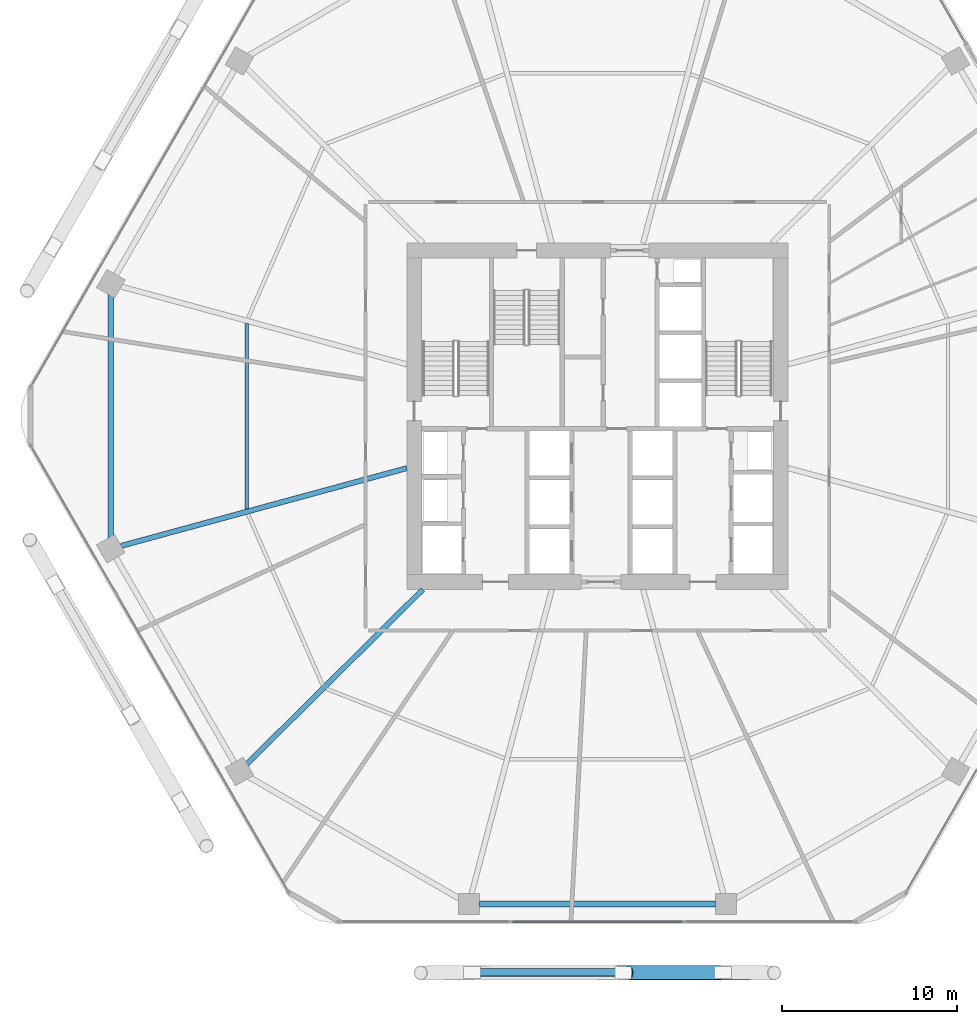
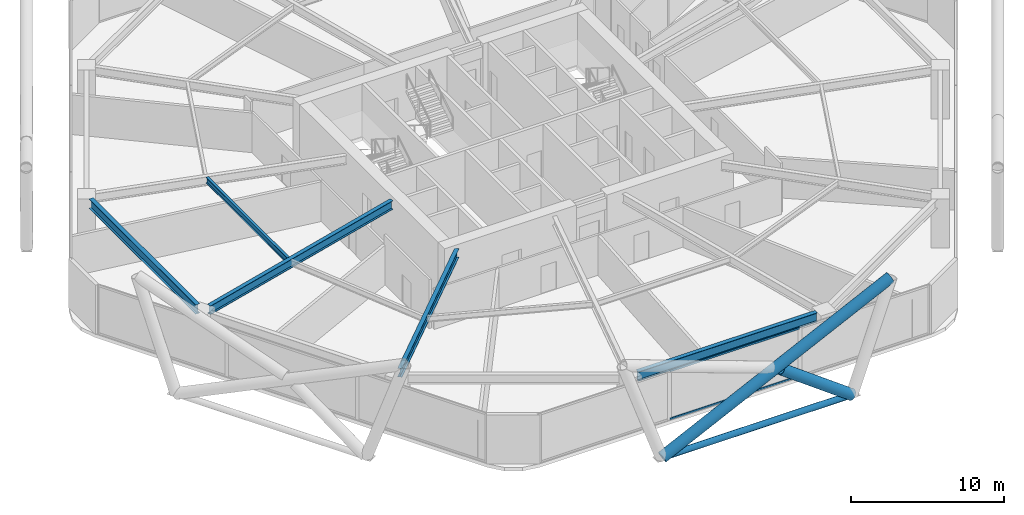
# One storey, part 6 of 28: 5 beams, 5 members, 1 element without a shape of its own.
"""IFC4 building model written with IfcOpenShell, lengths in metres."""

from ifc_helpers import new_model, si_unit, direction, frame, origin, origin_2d, place, context, subcontext, project, spatial, hollow_rectangle, hollow_circle, i_section, extrude, material, material_profile, profile_set, type_object, element, aggregate, save


model = new_model("IFC4")

# Units and contexts
model_context = context("Model", 3, precision=1e-05, world=origin(), true_north=direction((0.0, 1.0)))
body_context = subcontext(model_context, "Body", "Model", "MODEL_VIEW")
ifc_project = project(units=[si_unit("LENGTHUNIT", "METRE"), si_unit("AREAUNIT", "SQUARE_METRE"), si_unit("VOLUMEUNIT", "CUBIC_METRE"), si_unit("PLANEANGLEUNIT", "RADIAN"), si_unit("MASSUNIT", "GRAM", prefix="KILO")], contexts=[model_context])

# Site, building, storey
site_placement = place(None, origin())
site = spatial("IfcSite", under=ifc_project, at=site_placement, CompositionType="ELEMENT")
building_placement = place(site_placement, origin())
building = spatial("IfcBuilding", under=site, at=building_placement, Name="Zuhravey Tower", CompositionType="ELEMENT")
storey_placement = place(building_placement, frame((0.0, 0.0, 49.800048828125)))
storey = spatial("IfcBuildingStorey", under=building, at=storey_placement, Name="L12", CompositionType="ELEMENT", Elevation=49.800048828125)

# Curtain wall, members
ifc_material_1 = material(Name="Thermally broken anodised aluminium", Category="aluminium")
curtain_wall_type = type_object("IfcCurtainWallType", Name="School Low-E Unitised Curtain Wall CW1", PredefinedType="NOTDEFINED", material=ifc_material_1)
curtain_wall_placement = place(storey_placement, origin())
curtain_wall = element("IfcCurtainWall", 1, at=curtain_wall_placement, inside=storey, type_object=curtain_wall_type, Name="L12 CW1 CW-L12-F5-1", PredefinedType="NOTDEFINED")
ifc_material_2 = material(Name="Anodised aluminium", Category="aluminium")
ifc_material_profile_1 = material_profile(ifc_material_2, hollow_rectangle(XDim=0.090087890625, YDim=0.14990234375, WallThickness=0.0048828125, at=origin_2d()), Name="ALU-RHS-90x150x5")
ifc_profile_set_1 = profile_set([ifc_material_profile_1], Name="Anodised aluminium")
member_type_1 = type_object("IfcMemberType", Name="Curtain-Wall Transom 90x150", PredefinedType="USERDEFINED", material=ifc_profile_set_1)
member_1_placement = place(storey_placement, frame((40.88818359375, 3.04150390625, 0.044921875), z_axis=(-1.0, 0.0, 0.0), x_axis=(0.0, -1.0, 0.0)))
member_1 = element("IfcMember", 2, at=member_1_placement, type_object=member_type_1, Name="CW1 transom 2.1", ObjectType="TRANSOM", PredefinedType="USERDEFINED", context=body_context, shape_type="SweptSolid", body=[
    extrude(hollow_rectangle(XDim=0.090087890625, YDim=0.14990234375, WallThickness=0.0048828125, at=origin_2d()), origin(), (0.0, 0.0, 1.0), 9.7763671875),
])
member_2_placement = place(storey_placement, frame((40.88818359375, 3.04150390625, 3.875), z_axis=(-1.0, 0.0, 0.0), x_axis=(0.0, -1.0, 0.0)))
member_2 = element("IfcMember", 3, at=member_2_placement, type_object=member_type_1, Name="CW1 transom 2.2", ObjectType="TRANSOM", PredefinedType="USERDEFINED", context=body_context, shape_type="SweptSolid", body=[
    extrude(hollow_rectangle(XDim=0.090087890625, YDim=0.14990234375, WallThickness=0.0048828125, at=origin_2d()), origin(), (0.0, 0.0, 1.0), 9.7763671875),
])
aggregate(curtain_wall, [member_1, member_2])

# Members
ifc_material_3 = material(Name="Steel SM355", Category="steel")
ifc_material_profile_2 = material_profile(ifc_material_3, hollow_circle(Radius=0.228515625, WallThickness=0.02197265625, at=origin_2d()), Name="CHS-457.2x22")
ifc_profile_set_2 = profile_set([ifc_material_profile_2], Name="Steel SM355")
member_type_2 = type_object("IfcMemberType", Name="Exoskeleton Ring Tie CHS457x22", PredefinedType="CHORD", material=ifc_profile_set_2)
member_3_placement = place(storey_placement, frame((28.946044921875, 0.131591796875, -0.494140625), z_axis=(1.0, 0.0, 0.0), x_axis=(0.0, 1.0, 0.0)))
element("IfcMember", 4, at=member_3_placement, inside=storey, type_object=member_type_2, Name="L12 Exoskeleton Face 5 Tie EXR1", PredefinedType="CHORD", context=body_context, shape_type="SweptSolid", body=[
    extrude(hollow_circle(Radius=0.228515625, WallThickness=0.02197265625, at=origin_2d()), origin(), (0.0, 0.0, 1.0), 14.10791015625),
])
ifc_material_4 = material(Name="Steel SM460", Category="steel")
ifc_material_profile_3 = material_profile(ifc_material_4, hollow_circle(Radius=0.406494140625, WallThickness=0.035888671875, at=origin_2d()), Name="CHS-812.8x36")
ifc_profile_set_3 = profile_set([ifc_material_profile_3], Name="Steel SM460")
member_type_3 = type_object("IfcMemberType", Name="Exoskeleton Zone 1 Diagrid CHS813x36", PredefinedType="BRACE", material=ifc_profile_set_3)
member_4_placement = place(storey_placement, frame((28.8515625, 0.13134765625, -0.47216796875), z_axis=(0.899863494687, -0.001554696609, 0.436168859329), x_axis=(0.001727700143, 0.999998507525, 0.0)))
element("IfcMember", 5, at=member_4_placement, inside=storey, type_object=member_type_3, Name="L12 Face 5 Diagrid Brace 2", PredefinedType="BRACE", context=body_context, shape_type="SweptSolid", body=[
    extrude(hollow_circle(Radius=0.406494140625, WallThickness=0.035888671875, at=origin_2d()), origin(), (0.0, 0.0, 1.0), 19.158203125),
])
member_5_placement = place(storey_placement, frame((43.1533203125, 0.13134765625, -0.464111328125), z_axis=(-0.806161607872, -0.002092210156, 0.591691714197), x_axis=(0.00259526513, -0.999996632294, 0.0)))
element("IfcMember", 6, at=member_5_placement, inside=storey, type_object=member_type_3, Name="L12 Face 5 Split Diagrid Brace 3A", PredefinedType="BRACE", context=body_context, shape_type="SweptSolid", body=[
    extrude(hollow_circle(Radius=0.406494140625, WallThickness=0.035888671875, at=origin_2d()), origin(), (0.0, 0.0, 1.0), 6.6513671875),
])

# Beams
ifc_material_profile_4 = material_profile(ifc_material_3, i_section(OverallWidth=0.320068359375, OverallDepth=0.75, WebThickness=0.013916015625, FlangeThickness=0.02490234375, at=origin_2d()), Name="H-750x320x14x25")
ifc_profile_set_4 = profile_set([ifc_material_profile_4], Name="Steel SM355")
beam_type_1 = type_object("IfcBeamType", Name="Perimeter Ring Beam H750x320", PredefinedType="BEAM", material=ifc_profile_set_4)
beam_1_placement = place(storey_placement, frame((8.11083984375, 38.988525390625, 3.544921875), z_axis=(0.0, -1.0, 0.0), x_axis=(1.0, 0.0, 0.0)))
element("IfcBeam", 7, at=beam_1_placement, inside=storey, type_object=beam_type_1, Name="L12 PB1 BM-L12-PB-06", PredefinedType="BEAM", context=body_context, shape_type="SweptSolid", body=[
    extrude(i_section(OverallWidth=0.320068359375, OverallDepth=0.75, WebThickness=0.013916015625, FlangeThickness=0.02490234375, at=origin_2d()), origin(), (0.0, 0.0, 1.0), 13.97705078125),
])
beam_2_placement = place(storey_placement, frame((29.23291015625, 4.051513671875, 3.544921875), z_axis=(1.0, 0.0, 0.0), x_axis=(0.0, 1.0, 0.0)))
element("IfcBeam", 8, at=beam_2_placement, inside=storey, type_object=beam_type_1, Name="L12 PB1 BM-L12-PB-09", PredefinedType="BEAM", context=body_context, shape_type="SweptSolid", body=[
    extrude(i_section(OverallWidth=0.320068359375, OverallDepth=0.75, WebThickness=0.013916015625, FlangeThickness=0.02490234375, at=origin_2d()), origin(), (0.0, 0.0, 1.0), 13.5341796875),
])
ifc_material_profile_5 = material_profile(ifc_material_3, i_section(OverallWidth=0.300048828125, OverallDepth=0.699951171875, WebThickness=0.012939453125, FlangeThickness=0.02392578125, at=origin_2d()), Name="H-700x300x13x24")
ifc_profile_set_5 = profile_set([ifc_material_profile_5], Name="Steel SM355")
beam_type_2 = type_object("IfcBeamType", Name="Radial Primary Girder H700x300", PredefinedType="BEAM", material=ifc_profile_set_5)
beam_3_placement = place(storey_placement, frame((25.072021484375, 29.025390625, 3.570068359375), z_axis=(-0.964892480455, -0.26264520015, 0.0), x_axis=(0.26264520015, -0.964892480455, 0.0)))
element("IfcBeam", 9, at=beam_3_placement, inside=storey, type_object=beam_type_2, Name="L12 RG1 BM-L12-RAD-07", PredefinedType="BEAM", context=body_context, shape_type="SweptSolid", body=[
    extrude(i_section(OverallWidth=0.300048828125, OverallDepth=0.699951171875, WebThickness=0.012939453125, FlangeThickness=0.02392578125, at=origin_2d()), origin(), (0.0, 0.0, 1.0), 16.975341796875),
])
beam_4_placement = place(storey_placement, frame((25.992919921875, 22.072021484375, 3.570068359375), z_axis=(-0.709902823282, -0.704299639, 0.0), x_axis=(0.704299639, -0.709902823282, 0.0)))
element("IfcBeam", 10, at=beam_4_placement, inside=storey, type_object=beam_type_2, Name="L12 RG1 BM-L12-RAD-08", PredefinedType="BEAM", context=body_context, shape_type="SweptSolid", body=[
    extrude(i_section(OverallWidth=0.300048828125, OverallDepth=0.699951171875, WebThickness=0.012939453125, FlangeThickness=0.02392578125, at=origin_2d()), origin(), (0.0, 0.0, 1.0), 14.204345703125),
])
ifc_material_profile_6 = material_profile(ifc_material_3, i_section(OverallWidth=0.199951171875, OverallDepth=0.449951171875, WebThickness=0.009033203125, FlangeThickness=0.013916015625, at=origin_2d()), Name="H-450x200x9x14")
ifc_profile_set_6 = profile_set([ifc_material_profile_6], Name="Steel SM355")
beam_type_3 = type_object("IfcBeamType", Name="Secondary Floor Joist H450x200", PredefinedType="JOIST", material=ifc_profile_set_6)
beam_5_placement = place(storey_placement, frame((15.9130859375, 37.313720703125, 3.695068359375), z_axis=(0.0, -1.0, 0.0), x_axis=(1.0, 0.0, 0.0)))
element("IfcBeam", 11, at=beam_5_placement, inside=storey, type_object=beam_type_3, Name="L12 SJ1 BM-L12-SJ-06-1", PredefinedType="JOIST", context=body_context, shape_type="SweptSolid", body=[
    extrude(i_section(OverallWidth=0.199951171875, OverallDepth=0.449951171875, WebThickness=0.009033203125, FlangeThickness=0.013916015625, at=origin_2d()), origin(), (0.0, 0.0, 1.0), 10.62744140625),
])

save(model, "model.ifc")
